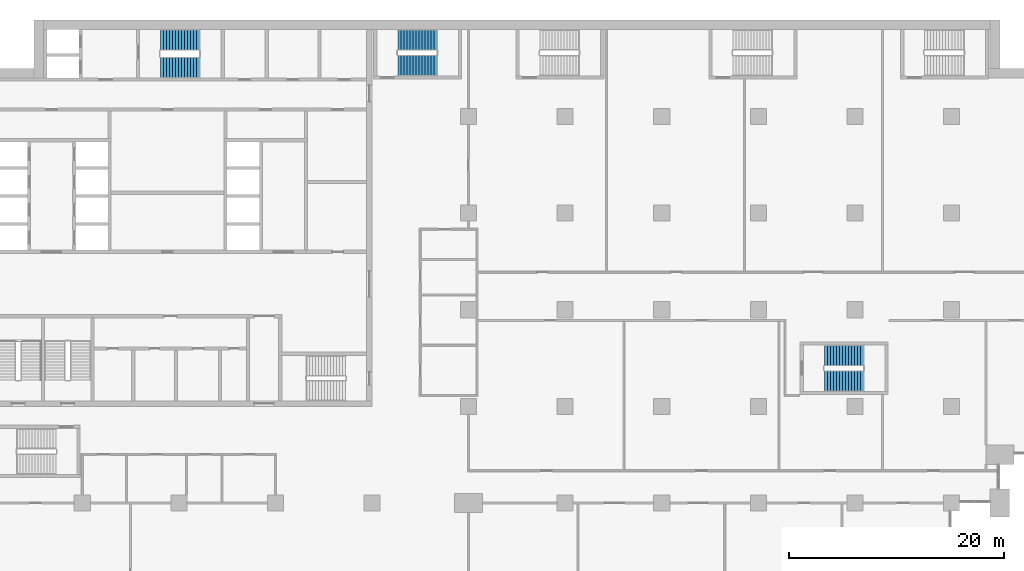
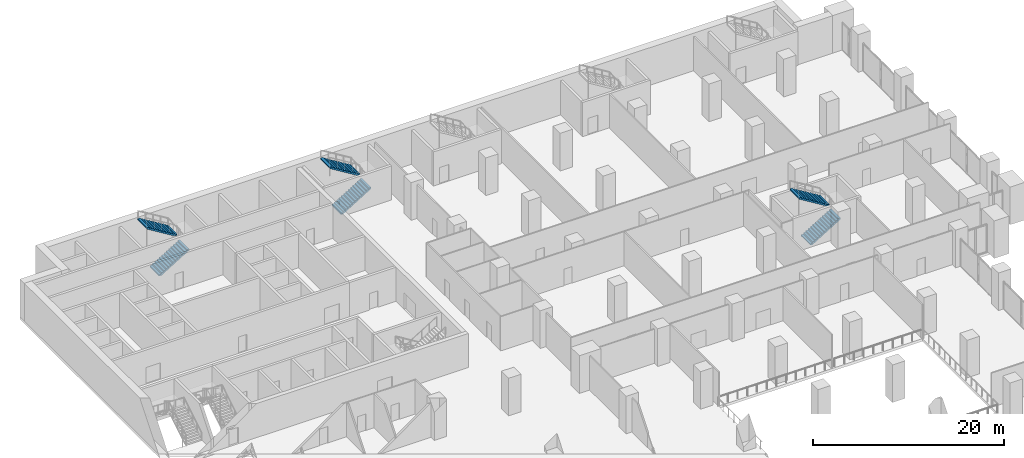
# One storey, part 22 of 32: 6 stair flights, 3 elements without a shape of their own.
"""IFC4 building model written with IfcOpenShell, lengths in metres."""

from ifc_helpers import new_model, si_unit, direction, frame, origin, place, context, subcontext, project, spatial, polyline, outline, extrude, material, type_object, element, aggregate, save


model = new_model("IFC4")

# Units and contexts
model_context = context("Model", 3, precision=1e-05, world=origin(), true_north=direction((0.0, 1.0)))
body_context = subcontext(model_context, "Body", "Model", "MODEL_VIEW")
ifc_project = project(units=[si_unit("LENGTHUNIT", "METRE"), si_unit("AREAUNIT", "SQUARE_METRE"), si_unit("VOLUMEUNIT", "CUBIC_METRE"), si_unit("PLANEANGLEUNIT", "RADIAN"), si_unit("MASSUNIT", "GRAM", prefix="KILO")], contexts=[model_context])

# Site, building, storey
site_placement = place(None, origin())
site = spatial("IfcSite", under=ifc_project, at=site_placement, CompositionType="ELEMENT")
building_placement = place(site_placement, origin())
building = spatial("IfcBuilding", under=site, at=building_placement, Name="Hunhe Ridgeline Campus", CompositionType="ELEMENT")
storey_placement = place(building_placement, frame((0.0, 0.0, 26.39990234375)))
storey = spatial("IfcBuildingStorey", under=building, at=storey_placement, Name="L05", CompositionType="ELEMENT", Elevation=26.39990234375)

# Stair, stair flights
ifc_material = material(Name="Concrete C40", Category="concrete")
stair_type = type_object("IfcStairType", Name="Reinforced concrete dog-leg stair 1950 Concrete C40", PredefinedType="HALF_TURN_STAIR", material=ifc_material)
stair_1_placement = place(storey_placement, origin())
stair_1 = element("IfcStair", 1, at=stair_1_placement, inside=storey, type_object=stair_type, Name="L05 S1", PredefinedType="HALF_TURN_STAIR")
stair_flight_type = type_object("IfcStairFlightType", Name="Reinforced concrete stair flight 1950 Concrete C40", PredefinedType="STRAIGHT", material=ifc_material)
stair_flight_1_placement = place(storey_placement, frame((16.300048828125, 94.574951171875, 0.0), z_axis=(0.0, 0.0, 1.0), x_axis=(1.0, 0.0, 0.0)))
stair_flight_1 = element("IfcStairFlight", 2, at=stair_flight_1_placement, type_object=stair_flight_type, Name="ST1 flight 1", NumberOfRisers=14, NumberOfTreads=13, PredefinedType="STRAIGHT", RiserHeight=0.171428571, TreadLength=0.28, context=body_context, shape_type="SweptSolid", body=[
    extrude(outline(polyline([(0.0, 0.0), (0.0, 0.17138671875), (0.280029296875, 0.17138671875), (0.280029296875, 0.3427734375), (0.56005859375, 0.3427734375), (0.56005859375, 0.514404296875), (0.840087890625, 0.514404296875), (0.840087890625, 0.685791015625), (1.1201171875, 0.685791015625), (1.1201171875, 0.857177734375), (1.39990234375, 0.857177734375), (1.39990234375, 1.028564453125), (1.679931640625, 1.028564453125), (1.679931640625, 1.199951171875), (1.9599609375, 1.199951171875), (1.9599609375, 1.371337890625), (2.239990234375, 1.371337890625), (2.239990234375, 1.54296875), (2.52001953125, 1.54296875), (2.52001953125, 1.71435546875), (2.800048828125, 1.71435546875), (2.800048828125, 1.8857421875), (3.080078125, 1.8857421875), (3.080078125, 2.05712890625), (3.360107421875, 2.05712890625), (3.360107421875, 2.228515625), (3.639892578125, 2.228515625), (3.639892578125, 2.39990234375), (3.639892578125, 2.052734375), (0.287109375, 0.0), (0.0, 0.0)])), frame((0.0, 0.97509765625, 0.0), z_axis=(0.0, -1.0, 0.0), x_axis=(1.0, 0.0, 0.0)), (0.0, 0.0, 1.0), 1.949951171875),
    extrude(outline(polyline([(0.030029296875, 0.030029296875), (0.030029296875, 0.141357421875), (0.31005859375, 0.141357421875), (0.31005859375, 0.31298828125), (0.590087890625, 0.31298828125), (0.590087890625, 0.484375), (0.8701171875, 0.484375), (0.8701171875, 0.65576171875), (1.14990234375, 0.65576171875), (1.14990234375, 0.8271484375), (1.429931640625, 0.8271484375), (1.429931640625, 0.99853515625), (1.7099609375, 0.99853515625), (1.7099609375, 1.169921875), (1.989990234375, 1.169921875), (1.989990234375, 1.34130859375), (2.27001953125, 1.34130859375), (2.27001953125, 1.512939453125), (2.550048828125, 1.512939453125), (2.550048828125, 1.684326171875), (2.830078125, 1.684326171875), (2.830078125, 1.855712890625), (3.110107421875, 1.855712890625), (3.110107421875, 2.027099609375), (3.389892578125, 2.027099609375), (3.389892578125, 2.198486328125), (3.610107421875, 2.198486328125), (3.610107421875, 2.069580078125), (0.278564453125, 0.030029296875), (0.030029296875, 0.030029296875)])), frame((0.0, -0.070068359375, 0.0), z_axis=(0.0, -1.0, 0.0), x_axis=(1.0, 0.0, 0.0)), (0.0, 0.0, 1.0), 0.019775390625),
    extrude(outline(polyline([(0.030029296875, 0.030029296875), (0.030029296875, 0.141357421875), (0.31005859375, 0.141357421875), (0.31005859375, 0.31298828125), (0.590087890625, 0.31298828125), (0.590087890625, 0.484375), (0.8701171875, 0.484375), (0.8701171875, 0.65576171875), (1.14990234375, 0.65576171875), (1.14990234375, 0.8271484375), (1.429931640625, 0.8271484375), (1.429931640625, 0.99853515625), (1.7099609375, 0.99853515625), (1.7099609375, 1.169921875), (1.989990234375, 1.169921875), (1.989990234375, 1.34130859375), (2.27001953125, 1.34130859375), (2.27001953125, 1.512939453125), (2.550048828125, 1.512939453125), (2.550048828125, 1.684326171875), (2.830078125, 1.684326171875), (2.830078125, 1.855712890625), (3.110107421875, 1.855712890625), (3.110107421875, 2.027099609375), (3.389892578125, 2.027099609375), (3.389892578125, 2.198486328125), (3.610107421875, 2.198486328125), (3.610107421875, 2.069580078125), (0.278564453125, 0.030029296875), (0.030029296875, 0.030029296875)])), frame((0.0, 0.010009765625, 0.0), z_axis=(0.0, -1.0, 0.0), x_axis=(1.0, 0.0, 0.0)), (0.0, 0.0, 1.0), 0.019775390625),
    extrude(outline(polyline([(0.030029296875, 0.030029296875), (0.030029296875, 0.141357421875), (0.31005859375, 0.141357421875), (0.31005859375, 0.31298828125), (0.590087890625, 0.31298828125), (0.590087890625, 0.484375), (0.8701171875, 0.484375), (0.8701171875, 0.65576171875), (1.14990234375, 0.65576171875), (1.14990234375, 0.8271484375), (1.429931640625, 0.8271484375), (1.429931640625, 0.99853515625), (1.7099609375, 0.99853515625), (1.7099609375, 1.169921875), (1.989990234375, 1.169921875), (1.989990234375, 1.34130859375), (2.27001953125, 1.34130859375), (2.27001953125, 1.512939453125), (2.550048828125, 1.512939453125), (2.550048828125, 1.684326171875), (2.830078125, 1.684326171875), (2.830078125, 1.855712890625), (3.110107421875, 1.855712890625), (3.110107421875, 2.027099609375), (3.389892578125, 2.027099609375), (3.389892578125, 2.198486328125), (3.610107421875, 2.198486328125), (3.610107421875, 2.069580078125), (0.278564453125, 0.030029296875), (0.030029296875, 0.030029296875)])), frame((0.0, 0.090087890625, 0.0), z_axis=(0.0, -1.0, 0.0), x_axis=(1.0, 0.0, 0.0)), (0.0, 0.0, 1.0), 0.019775390625),
])
stair_flight_2_placement = place(storey_placement, frame((19.93994140625, 97.125, 2.400146484375), z_axis=(0.0, 0.0, 1.0), x_axis=(-1.0, 0.0, 0.0)))
stair_flight_2 = element("IfcStairFlight", 3, at=stair_flight_2_placement, type_object=stair_flight_type, Name="ST1 flight 2", NumberOfRisers=14, NumberOfTreads=13, PredefinedType="STRAIGHT", RiserHeight=0.171428571, TreadLength=0.28, context=body_context, shape_type="SweptSolid", body=[
    extrude(outline(polyline([(0.0, 0.0), (0.0, 0.17138671875), (0.280029296875, 0.17138671875), (0.280029296875, 0.3427734375), (0.56005859375, 0.3427734375), (0.56005859375, 0.514404296875), (0.840087890625, 0.514404296875), (0.840087890625, 0.685791015625), (1.1201171875, 0.685791015625), (1.1201171875, 0.857177734375), (1.39990234375, 0.857177734375), (1.39990234375, 1.028564453125), (1.679931640625, 1.028564453125), (1.679931640625, 1.199951171875), (1.9599609375, 1.199951171875), (1.9599609375, 1.371337890625), (2.239990234375, 1.371337890625), (2.239990234375, 1.54296875), (2.52001953125, 1.54296875), (2.52001953125, 1.71435546875), (2.800048828125, 1.71435546875), (2.800048828125, 1.8857421875), (3.080078125, 1.8857421875), (3.080078125, 2.05712890625), (3.360107421875, 2.05712890625), (3.360107421875, 2.228515625), (3.639892578125, 2.228515625), (3.639892578125, 2.39990234375), (3.639892578125, 2.052734375), (0.287109375, 0.0), (0.0, 0.0)])), frame((0.0, 0.97509765625, 0.0), z_axis=(0.0, -1.0, 0.0), x_axis=(1.0, 0.0, 0.0)), (0.0, 0.0, 1.0), 1.949951171875),
    extrude(outline(polyline([(0.030029296875, 0.030029296875), (0.030029296875, 0.141357421875), (0.31005859375, 0.141357421875), (0.31005859375, 0.31298828125), (0.590087890625, 0.31298828125), (0.590087890625, 0.484375), (0.8701171875, 0.484375), (0.8701171875, 0.65576171875), (1.14990234375, 0.65576171875), (1.14990234375, 0.8271484375), (1.429931640625, 0.8271484375), (1.429931640625, 0.99853515625), (1.7099609375, 0.99853515625), (1.7099609375, 1.169921875), (1.989990234375, 1.169921875), (1.989990234375, 1.34130859375), (2.27001953125, 1.34130859375), (2.27001953125, 1.512939453125), (2.550048828125, 1.512939453125), (2.550048828125, 1.684326171875), (2.830078125, 1.684326171875), (2.830078125, 1.855712890625), (3.110107421875, 1.855712890625), (3.110107421875, 2.027099609375), (3.389892578125, 2.027099609375), (3.389892578125, 2.198486328125), (3.610107421875, 2.198486328125), (3.610107421875, 2.069580078125), (0.278564453125, 0.030029296875), (0.030029296875, 0.030029296875)])), frame((0.0, -0.070068359375, 0.0), z_axis=(0.0, -1.0, 0.0), x_axis=(1.0, 0.0, 0.0)), (0.0, 0.0, 1.0), 0.019775390625),
    extrude(outline(polyline([(0.030029296875, 0.030029296875), (0.030029296875, 0.141357421875), (0.31005859375, 0.141357421875), (0.31005859375, 0.31298828125), (0.590087890625, 0.31298828125), (0.590087890625, 0.484375), (0.8701171875, 0.484375), (0.8701171875, 0.65576171875), (1.14990234375, 0.65576171875), (1.14990234375, 0.8271484375), (1.429931640625, 0.8271484375), (1.429931640625, 0.99853515625), (1.7099609375, 0.99853515625), (1.7099609375, 1.169921875), (1.989990234375, 1.169921875), (1.989990234375, 1.34130859375), (2.27001953125, 1.34130859375), (2.27001953125, 1.512939453125), (2.550048828125, 1.512939453125), (2.550048828125, 1.684326171875), (2.830078125, 1.684326171875), (2.830078125, 1.855712890625), (3.110107421875, 1.855712890625), (3.110107421875, 2.027099609375), (3.389892578125, 2.027099609375), (3.389892578125, 2.198486328125), (3.610107421875, 2.198486328125), (3.610107421875, 2.069580078125), (0.278564453125, 0.030029296875), (0.030029296875, 0.030029296875)])), frame((0.0, 0.010009765625, 0.0), z_axis=(0.0, -1.0, 0.0), x_axis=(1.0, 0.0, 0.0)), (0.0, 0.0, 1.0), 0.019775390625),
    extrude(outline(polyline([(0.030029296875, 0.030029296875), (0.030029296875, 0.141357421875), (0.31005859375, 0.141357421875), (0.31005859375, 0.31298828125), (0.590087890625, 0.31298828125), (0.590087890625, 0.484375), (0.8701171875, 0.484375), (0.8701171875, 0.65576171875), (1.14990234375, 0.65576171875), (1.14990234375, 0.8271484375), (1.429931640625, 0.8271484375), (1.429931640625, 0.99853515625), (1.7099609375, 0.99853515625), (1.7099609375, 1.169921875), (1.989990234375, 1.169921875), (1.989990234375, 1.34130859375), (2.27001953125, 1.34130859375), (2.27001953125, 1.512939453125), (2.550048828125, 1.512939453125), (2.550048828125, 1.684326171875), (2.830078125, 1.684326171875), (2.830078125, 1.855712890625), (3.110107421875, 1.855712890625), (3.110107421875, 2.027099609375), (3.389892578125, 2.027099609375), (3.389892578125, 2.198486328125), (3.610107421875, 2.198486328125), (3.610107421875, 2.069580078125), (0.278564453125, 0.030029296875), (0.030029296875, 0.030029296875)])), frame((0.0, 0.090087890625, 0.0), z_axis=(0.0, -1.0, 0.0), x_axis=(1.0, 0.0, 0.0)), (0.0, 0.0, 1.0), 0.019775390625),
])
aggregate(stair_1, [stair_flight_1, stair_flight_2])

stair_2_placement = place(storey_placement, origin())
stair_2 = element("IfcStair", 4, at=stair_2_placement, inside=storey, type_object=stair_type, Name="L05 E1", PredefinedType="HALF_TURN_STAIR")
stair_flight_3_placement = place(storey_placement, frame((38.39990234375, 94.77490234375, 0.0), z_axis=(0.0, 0.0, 1.0), x_axis=(1.0, 0.0, 0.0)))
stair_flight_3 = element("IfcStairFlight", 5, at=stair_flight_3_placement, type_object=stair_flight_type, Name="ST5 flight 1", NumberOfRisers=14, NumberOfTreads=13, PredefinedType="STRAIGHT", RiserHeight=0.171428571, TreadLength=0.28, context=body_context, shape_type="SweptSolid", body=[
    extrude(outline(polyline([(0.0, 0.0), (0.0, 0.17138671875), (0.280029296875, 0.17138671875), (0.280029296875, 0.3427734375), (0.56005859375, 0.3427734375), (0.56005859375, 0.514404296875), (0.840087890625, 0.514404296875), (0.840087890625, 0.685791015625), (1.1201171875, 0.685791015625), (1.1201171875, 0.857177734375), (1.39990234375, 0.857177734375), (1.39990234375, 1.028564453125), (1.679931640625, 1.028564453125), (1.679931640625, 1.199951171875), (1.9599609375, 1.199951171875), (1.9599609375, 1.371337890625), (2.239990234375, 1.371337890625), (2.239990234375, 1.54296875), (2.52001953125, 1.54296875), (2.52001953125, 1.71435546875), (2.800048828125, 1.71435546875), (2.800048828125, 1.8857421875), (3.080078125, 1.8857421875), (3.080078125, 2.05712890625), (3.360107421875, 2.05712890625), (3.360107421875, 2.228515625), (3.639892578125, 2.228515625), (3.639892578125, 2.39990234375), (3.639892578125, 2.052734375), (0.287109375, 0.0), (0.0, 0.0)])), frame((0.0, 0.97509765625, 0.0), z_axis=(0.0, -1.0, 0.0), x_axis=(1.0, 0.0, 0.0)), (0.0, 0.0, 1.0), 1.949951171875),
    extrude(outline(polyline([(0.030029296875, 0.030029296875), (0.030029296875, 0.141357421875), (0.31005859375, 0.141357421875), (0.31005859375, 0.31298828125), (0.590087890625, 0.31298828125), (0.590087890625, 0.484375), (0.8701171875, 0.484375), (0.8701171875, 0.65576171875), (1.14990234375, 0.65576171875), (1.14990234375, 0.8271484375), (1.429931640625, 0.8271484375), (1.429931640625, 0.99853515625), (1.7099609375, 0.99853515625), (1.7099609375, 1.169921875), (1.989990234375, 1.169921875), (1.989990234375, 1.34130859375), (2.27001953125, 1.34130859375), (2.27001953125, 1.512939453125), (2.550048828125, 1.512939453125), (2.550048828125, 1.684326171875), (2.830078125, 1.684326171875), (2.830078125, 1.855712890625), (3.110107421875, 1.855712890625), (3.110107421875, 2.027099609375), (3.389892578125, 2.027099609375), (3.389892578125, 2.198486328125), (3.610107421875, 2.198486328125), (3.610107421875, 2.069580078125), (0.278564453125, 0.030029296875), (0.030029296875, 0.030029296875)])), frame((0.0, -0.070068359375, 0.0), z_axis=(0.0, -1.0, 0.0), x_axis=(1.0, 0.0, 0.0)), (0.0, 0.0, 1.0), 0.019775390625),
    extrude(outline(polyline([(0.030029296875, 0.030029296875), (0.030029296875, 0.141357421875), (0.31005859375, 0.141357421875), (0.31005859375, 0.31298828125), (0.590087890625, 0.31298828125), (0.590087890625, 0.484375), (0.8701171875, 0.484375), (0.8701171875, 0.65576171875), (1.14990234375, 0.65576171875), (1.14990234375, 0.8271484375), (1.429931640625, 0.8271484375), (1.429931640625, 0.99853515625), (1.7099609375, 0.99853515625), (1.7099609375, 1.169921875), (1.989990234375, 1.169921875), (1.989990234375, 1.34130859375), (2.27001953125, 1.34130859375), (2.27001953125, 1.512939453125), (2.550048828125, 1.512939453125), (2.550048828125, 1.684326171875), (2.830078125, 1.684326171875), (2.830078125, 1.855712890625), (3.110107421875, 1.855712890625), (3.110107421875, 2.027099609375), (3.389892578125, 2.027099609375), (3.389892578125, 2.198486328125), (3.610107421875, 2.198486328125), (3.610107421875, 2.069580078125), (0.278564453125, 0.030029296875), (0.030029296875, 0.030029296875)])), frame((0.0, 0.010009765625, 0.0), z_axis=(0.0, -1.0, 0.0), x_axis=(1.0, 0.0, 0.0)), (0.0, 0.0, 1.0), 0.019775390625),
    extrude(outline(polyline([(0.030029296875, 0.030029296875), (0.030029296875, 0.141357421875), (0.31005859375, 0.141357421875), (0.31005859375, 0.31298828125), (0.590087890625, 0.31298828125), (0.590087890625, 0.484375), (0.8701171875, 0.484375), (0.8701171875, 0.65576171875), (1.14990234375, 0.65576171875), (1.14990234375, 0.8271484375), (1.429931640625, 0.8271484375), (1.429931640625, 0.99853515625), (1.7099609375, 0.99853515625), (1.7099609375, 1.169921875), (1.989990234375, 1.169921875), (1.989990234375, 1.34130859375), (2.27001953125, 1.34130859375), (2.27001953125, 1.512939453125), (2.550048828125, 1.512939453125), (2.550048828125, 1.684326171875), (2.830078125, 1.684326171875), (2.830078125, 1.855712890625), (3.110107421875, 1.855712890625), (3.110107421875, 2.027099609375), (3.389892578125, 2.027099609375), (3.389892578125, 2.198486328125), (3.610107421875, 2.198486328125), (3.610107421875, 2.069580078125), (0.278564453125, 0.030029296875), (0.030029296875, 0.030029296875)])), frame((0.0, 0.090087890625, 0.0), z_axis=(0.0, -1.0, 0.0), x_axis=(1.0, 0.0, 0.0)), (0.0, 0.0, 1.0), 0.019775390625),
])
stair_flight_4_placement = place(storey_placement, frame((42.0400390625, 97.125, 2.400146484375), z_axis=(0.0, 0.0, 1.0), x_axis=(-1.0, 0.0, 0.0)))
stair_flight_4 = element("IfcStairFlight", 6, at=stair_flight_4_placement, type_object=stair_flight_type, Name="ST5 flight 2", NumberOfRisers=14, NumberOfTreads=13, PredefinedType="STRAIGHT", RiserHeight=0.171428571, TreadLength=0.28, context=body_context, shape_type="SweptSolid", body=[
    extrude(outline(polyline([(0.0, 0.0), (0.0, 0.17138671875), (0.280029296875, 0.17138671875), (0.280029296875, 0.3427734375), (0.56005859375, 0.3427734375), (0.56005859375, 0.514404296875), (0.840087890625, 0.514404296875), (0.840087890625, 0.685791015625), (1.1201171875, 0.685791015625), (1.1201171875, 0.857177734375), (1.39990234375, 0.857177734375), (1.39990234375, 1.028564453125), (1.679931640625, 1.028564453125), (1.679931640625, 1.199951171875), (1.9599609375, 1.199951171875), (1.9599609375, 1.371337890625), (2.239990234375, 1.371337890625), (2.239990234375, 1.54296875), (2.52001953125, 1.54296875), (2.52001953125, 1.71435546875), (2.800048828125, 1.71435546875), (2.800048828125, 1.8857421875), (3.080078125, 1.8857421875), (3.080078125, 2.05712890625), (3.360107421875, 2.05712890625), (3.360107421875, 2.228515625), (3.639892578125, 2.228515625), (3.639892578125, 2.39990234375), (3.639892578125, 2.052734375), (0.287109375, 0.0), (0.0, 0.0)])), frame((0.0, 0.97509765625, 0.0), z_axis=(0.0, -1.0, 0.0), x_axis=(1.0, 0.0, 0.0)), (0.0, 0.0, 1.0), 1.949951171875),
    extrude(outline(polyline([(0.030029296875, 0.030029296875), (0.030029296875, 0.141357421875), (0.31005859375, 0.141357421875), (0.31005859375, 0.31298828125), (0.590087890625, 0.31298828125), (0.590087890625, 0.484375), (0.8701171875, 0.484375), (0.8701171875, 0.65576171875), (1.14990234375, 0.65576171875), (1.14990234375, 0.8271484375), (1.429931640625, 0.8271484375), (1.429931640625, 0.99853515625), (1.7099609375, 0.99853515625), (1.7099609375, 1.169921875), (1.989990234375, 1.169921875), (1.989990234375, 1.34130859375), (2.27001953125, 1.34130859375), (2.27001953125, 1.512939453125), (2.550048828125, 1.512939453125), (2.550048828125, 1.684326171875), (2.830078125, 1.684326171875), (2.830078125, 1.855712890625), (3.110107421875, 1.855712890625), (3.110107421875, 2.027099609375), (3.389892578125, 2.027099609375), (3.389892578125, 2.198486328125), (3.610107421875, 2.198486328125), (3.610107421875, 2.069580078125), (0.278564453125, 0.030029296875), (0.030029296875, 0.030029296875)])), frame((0.0, -0.070068359375, 0.0), z_axis=(0.0, -1.0, 0.0), x_axis=(1.0, 0.0, 0.0)), (0.0, 0.0, 1.0), 0.019775390625),
    extrude(outline(polyline([(0.030029296875, 0.030029296875), (0.030029296875, 0.141357421875), (0.31005859375, 0.141357421875), (0.31005859375, 0.31298828125), (0.590087890625, 0.31298828125), (0.590087890625, 0.484375), (0.8701171875, 0.484375), (0.8701171875, 0.65576171875), (1.14990234375, 0.65576171875), (1.14990234375, 0.8271484375), (1.429931640625, 0.8271484375), (1.429931640625, 0.99853515625), (1.7099609375, 0.99853515625), (1.7099609375, 1.169921875), (1.989990234375, 1.169921875), (1.989990234375, 1.34130859375), (2.27001953125, 1.34130859375), (2.27001953125, 1.512939453125), (2.550048828125, 1.512939453125), (2.550048828125, 1.684326171875), (2.830078125, 1.684326171875), (2.830078125, 1.855712890625), (3.110107421875, 1.855712890625), (3.110107421875, 2.027099609375), (3.389892578125, 2.027099609375), (3.389892578125, 2.198486328125), (3.610107421875, 2.198486328125), (3.610107421875, 2.069580078125), (0.278564453125, 0.030029296875), (0.030029296875, 0.030029296875)])), frame((0.0, 0.010009765625, 0.0), z_axis=(0.0, -1.0, 0.0), x_axis=(1.0, 0.0, 0.0)), (0.0, 0.0, 1.0), 0.019775390625),
    extrude(outline(polyline([(0.030029296875, 0.030029296875), (0.030029296875, 0.141357421875), (0.31005859375, 0.141357421875), (0.31005859375, 0.31298828125), (0.590087890625, 0.31298828125), (0.590087890625, 0.484375), (0.8701171875, 0.484375), (0.8701171875, 0.65576171875), (1.14990234375, 0.65576171875), (1.14990234375, 0.8271484375), (1.429931640625, 0.8271484375), (1.429931640625, 0.99853515625), (1.7099609375, 0.99853515625), (1.7099609375, 1.169921875), (1.989990234375, 1.169921875), (1.989990234375, 1.34130859375), (2.27001953125, 1.34130859375), (2.27001953125, 1.512939453125), (2.550048828125, 1.512939453125), (2.550048828125, 1.684326171875), (2.830078125, 1.684326171875), (2.830078125, 1.855712890625), (3.110107421875, 1.855712890625), (3.110107421875, 2.027099609375), (3.389892578125, 2.027099609375), (3.389892578125, 2.198486328125), (3.610107421875, 2.198486328125), (3.610107421875, 2.069580078125), (0.278564453125, 0.030029296875), (0.030029296875, 0.030029296875)])), frame((0.0, 0.090087890625, 0.0), z_axis=(0.0, -1.0, 0.0), x_axis=(1.0, 0.0, 0.0)), (0.0, 0.0, 1.0), 0.019775390625),
])
aggregate(stair_2, [stair_flight_3, stair_flight_4])

stair_3_placement = place(storey_placement, origin())
stair_3 = element("IfcStair", 7, at=stair_3_placement, inside=storey, type_object=stair_type, Name="L05 E5", PredefinedType="HALF_TURN_STAIR")
stair_flight_5_placement = place(storey_placement, frame((78.14990234375, 65.375, 0.0), z_axis=(0.0, 0.0, 1.0), x_axis=(1.0, 0.0, 0.0)))
stair_flight_5 = element("IfcStairFlight", 8, at=stair_flight_5_placement, type_object=stair_flight_type, Name="ST10 flight 1", NumberOfRisers=14, NumberOfTreads=13, PredefinedType="STRAIGHT", RiserHeight=0.171428571, TreadLength=0.28, context=body_context, shape_type="SweptSolid", body=[
    extrude(outline(polyline([(0.0, 0.0), (0.0, 0.17138671875), (0.280029296875, 0.17138671875), (0.280029296875, 0.3427734375), (0.56005859375, 0.3427734375), (0.56005859375, 0.514404296875), (0.840087890625, 0.514404296875), (0.840087890625, 0.685791015625), (1.1201171875, 0.685791015625), (1.1201171875, 0.857177734375), (1.39990234375, 0.857177734375), (1.39990234375, 1.028564453125), (1.679931640625, 1.028564453125), (1.679931640625, 1.199951171875), (1.9599609375, 1.199951171875), (1.9599609375, 1.371337890625), (2.239990234375, 1.371337890625), (2.239990234375, 1.54296875), (2.52001953125, 1.54296875), (2.52001953125, 1.71435546875), (2.800048828125, 1.71435546875), (2.800048828125, 1.8857421875), (3.080078125, 1.8857421875), (3.080078125, 2.05712890625), (3.360107421875, 2.05712890625), (3.360107421875, 2.228515625), (3.639892578125, 2.228515625), (3.639892578125, 2.39990234375), (3.639892578125, 2.052734375), (0.287109375, 0.0), (0.0, 0.0)])), frame((0.0, 0.97509765625, 0.0), z_axis=(0.0, -1.0, 0.0), x_axis=(1.0, 0.0, 0.0)), (0.0, 0.0, 1.0), 1.949951171875),
    extrude(outline(polyline([(0.030029296875, 0.030029296875), (0.030029296875, 0.141357421875), (0.31005859375, 0.141357421875), (0.31005859375, 0.31298828125), (0.590087890625, 0.31298828125), (0.590087890625, 0.484375), (0.8701171875, 0.484375), (0.8701171875, 0.65576171875), (1.14990234375, 0.65576171875), (1.14990234375, 0.8271484375), (1.429931640625, 0.8271484375), (1.429931640625, 0.99853515625), (1.7099609375, 0.99853515625), (1.7099609375, 1.169921875), (1.989990234375, 1.169921875), (1.989990234375, 1.34130859375), (2.27001953125, 1.34130859375), (2.27001953125, 1.512939453125), (2.550048828125, 1.512939453125), (2.550048828125, 1.684326171875), (2.830078125, 1.684326171875), (2.830078125, 1.855712890625), (3.110107421875, 1.855712890625), (3.110107421875, 2.027099609375), (3.389892578125, 2.027099609375), (3.389892578125, 2.198486328125), (3.610107421875, 2.198486328125), (3.610107421875, 2.069580078125), (0.278564453125, 0.030029296875), (0.030029296875, 0.030029296875)])), frame((0.0, -0.070068359375, 0.0), z_axis=(0.0, -1.0, 0.0), x_axis=(1.0, 0.0, 0.0)), (0.0, 0.0, 1.0), 0.019775390625),
    extrude(outline(polyline([(0.030029296875, 0.030029296875), (0.030029296875, 0.141357421875), (0.31005859375, 0.141357421875), (0.31005859375, 0.31298828125), (0.590087890625, 0.31298828125), (0.590087890625, 0.484375), (0.8701171875, 0.484375), (0.8701171875, 0.65576171875), (1.14990234375, 0.65576171875), (1.14990234375, 0.8271484375), (1.429931640625, 0.8271484375), (1.429931640625, 0.99853515625), (1.7099609375, 0.99853515625), (1.7099609375, 1.169921875), (1.989990234375, 1.169921875), (1.989990234375, 1.34130859375), (2.27001953125, 1.34130859375), (2.27001953125, 1.512939453125), (2.550048828125, 1.512939453125), (2.550048828125, 1.684326171875), (2.830078125, 1.684326171875), (2.830078125, 1.855712890625), (3.110107421875, 1.855712890625), (3.110107421875, 2.027099609375), (3.389892578125, 2.027099609375), (3.389892578125, 2.198486328125), (3.610107421875, 2.198486328125), (3.610107421875, 2.069580078125), (0.278564453125, 0.030029296875), (0.030029296875, 0.030029296875)])), frame((0.0, 0.010009765625, 0.0), z_axis=(0.0, -1.0, 0.0), x_axis=(1.0, 0.0, 0.0)), (0.0, 0.0, 1.0), 0.019775390625),
    extrude(outline(polyline([(0.030029296875, 0.030029296875), (0.030029296875, 0.141357421875), (0.31005859375, 0.141357421875), (0.31005859375, 0.31298828125), (0.590087890625, 0.31298828125), (0.590087890625, 0.484375), (0.8701171875, 0.484375), (0.8701171875, 0.65576171875), (1.14990234375, 0.65576171875), (1.14990234375, 0.8271484375), (1.429931640625, 0.8271484375), (1.429931640625, 0.99853515625), (1.7099609375, 0.99853515625), (1.7099609375, 1.169921875), (1.989990234375, 1.169921875), (1.989990234375, 1.34130859375), (2.27001953125, 1.34130859375), (2.27001953125, 1.512939453125), (2.550048828125, 1.512939453125), (2.550048828125, 1.684326171875), (2.830078125, 1.684326171875), (2.830078125, 1.855712890625), (3.110107421875, 1.855712890625), (3.110107421875, 2.027099609375), (3.389892578125, 2.027099609375), (3.389892578125, 2.198486328125), (3.610107421875, 2.198486328125), (3.610107421875, 2.069580078125), (0.278564453125, 0.030029296875), (0.030029296875, 0.030029296875)])), frame((0.0, 0.090087890625, 0.0), z_axis=(0.0, -1.0, 0.0), x_axis=(1.0, 0.0, 0.0)), (0.0, 0.0, 1.0), 0.019775390625),
])
stair_flight_6_placement = place(storey_placement, frame((81.7900390625, 67.72509765625, 2.400146484375), z_axis=(0.0, 0.0, 1.0), x_axis=(-1.0, 0.0, 0.0)))
stair_flight_6 = element("IfcStairFlight", 9, at=stair_flight_6_placement, type_object=stair_flight_type, Name="ST10 flight 2", NumberOfRisers=14, NumberOfTreads=13, PredefinedType="STRAIGHT", RiserHeight=0.171428571, TreadLength=0.28, context=body_context, shape_type="SweptSolid", body=[
    extrude(outline(polyline([(0.0, 0.0), (0.0, 0.17138671875), (0.280029296875, 0.17138671875), (0.280029296875, 0.3427734375), (0.56005859375, 0.3427734375), (0.56005859375, 0.514404296875), (0.840087890625, 0.514404296875), (0.840087890625, 0.685791015625), (1.1201171875, 0.685791015625), (1.1201171875, 0.857177734375), (1.39990234375, 0.857177734375), (1.39990234375, 1.028564453125), (1.679931640625, 1.028564453125), (1.679931640625, 1.199951171875), (1.9599609375, 1.199951171875), (1.9599609375, 1.371337890625), (2.239990234375, 1.371337890625), (2.239990234375, 1.54296875), (2.52001953125, 1.54296875), (2.52001953125, 1.71435546875), (2.800048828125, 1.71435546875), (2.800048828125, 1.8857421875), (3.080078125, 1.8857421875), (3.080078125, 2.05712890625), (3.360107421875, 2.05712890625), (3.360107421875, 2.228515625), (3.639892578125, 2.228515625), (3.639892578125, 2.39990234375), (3.639892578125, 2.052734375), (0.287109375, 0.0), (0.0, 0.0)])), frame((0.0, 0.97509765625, 0.0), z_axis=(0.0, -1.0, 0.0), x_axis=(1.0, 0.0, 0.0)), (0.0, 0.0, 1.0), 1.949951171875),
    extrude(outline(polyline([(0.030029296875, 0.030029296875), (0.030029296875, 0.141357421875), (0.31005859375, 0.141357421875), (0.31005859375, 0.31298828125), (0.590087890625, 0.31298828125), (0.590087890625, 0.484375), (0.8701171875, 0.484375), (0.8701171875, 0.65576171875), (1.14990234375, 0.65576171875), (1.14990234375, 0.8271484375), (1.429931640625, 0.8271484375), (1.429931640625, 0.99853515625), (1.7099609375, 0.99853515625), (1.7099609375, 1.169921875), (1.989990234375, 1.169921875), (1.989990234375, 1.34130859375), (2.27001953125, 1.34130859375), (2.27001953125, 1.512939453125), (2.550048828125, 1.512939453125), (2.550048828125, 1.684326171875), (2.830078125, 1.684326171875), (2.830078125, 1.855712890625), (3.110107421875, 1.855712890625), (3.110107421875, 2.027099609375), (3.389892578125, 2.027099609375), (3.389892578125, 2.198486328125), (3.610107421875, 2.198486328125), (3.610107421875, 2.069580078125), (0.278564453125, 0.030029296875), (0.030029296875, 0.030029296875)])), frame((0.0, -0.070068359375, 0.0), z_axis=(0.0, -1.0, 0.0), x_axis=(1.0, 0.0, 0.0)), (0.0, 0.0, 1.0), 0.019775390625),
    extrude(outline(polyline([(0.030029296875, 0.030029296875), (0.030029296875, 0.141357421875), (0.31005859375, 0.141357421875), (0.31005859375, 0.31298828125), (0.590087890625, 0.31298828125), (0.590087890625, 0.484375), (0.8701171875, 0.484375), (0.8701171875, 0.65576171875), (1.14990234375, 0.65576171875), (1.14990234375, 0.8271484375), (1.429931640625, 0.8271484375), (1.429931640625, 0.99853515625), (1.7099609375, 0.99853515625), (1.7099609375, 1.169921875), (1.989990234375, 1.169921875), (1.989990234375, 1.34130859375), (2.27001953125, 1.34130859375), (2.27001953125, 1.512939453125), (2.550048828125, 1.512939453125), (2.550048828125, 1.684326171875), (2.830078125, 1.684326171875), (2.830078125, 1.855712890625), (3.110107421875, 1.855712890625), (3.110107421875, 2.027099609375), (3.389892578125, 2.027099609375), (3.389892578125, 2.198486328125), (3.610107421875, 2.198486328125), (3.610107421875, 2.069580078125), (0.278564453125, 0.030029296875), (0.030029296875, 0.030029296875)])), frame((0.0, 0.010009765625, 0.0), z_axis=(0.0, -1.0, 0.0), x_axis=(1.0, 0.0, 0.0)), (0.0, 0.0, 1.0), 0.019775390625),
    extrude(outline(polyline([(0.030029296875, 0.030029296875), (0.030029296875, 0.141357421875), (0.31005859375, 0.141357421875), (0.31005859375, 0.31298828125), (0.590087890625, 0.31298828125), (0.590087890625, 0.484375), (0.8701171875, 0.484375), (0.8701171875, 0.65576171875), (1.14990234375, 0.65576171875), (1.14990234375, 0.8271484375), (1.429931640625, 0.8271484375), (1.429931640625, 0.99853515625), (1.7099609375, 0.99853515625), (1.7099609375, 1.169921875), (1.989990234375, 1.169921875), (1.989990234375, 1.34130859375), (2.27001953125, 1.34130859375), (2.27001953125, 1.512939453125), (2.550048828125, 1.512939453125), (2.550048828125, 1.684326171875), (2.830078125, 1.684326171875), (2.830078125, 1.855712890625), (3.110107421875, 1.855712890625), (3.110107421875, 2.027099609375), (3.389892578125, 2.027099609375), (3.389892578125, 2.198486328125), (3.610107421875, 2.198486328125), (3.610107421875, 2.069580078125), (0.278564453125, 0.030029296875), (0.030029296875, 0.030029296875)])), frame((0.0, 0.090087890625, 0.0), z_axis=(0.0, -1.0, 0.0), x_axis=(1.0, 0.0, 0.0)), (0.0, 0.0, 1.0), 0.019775390625),
])
aggregate(stair_3, [stair_flight_5, stair_flight_6])

save(model, "model.ifc")
